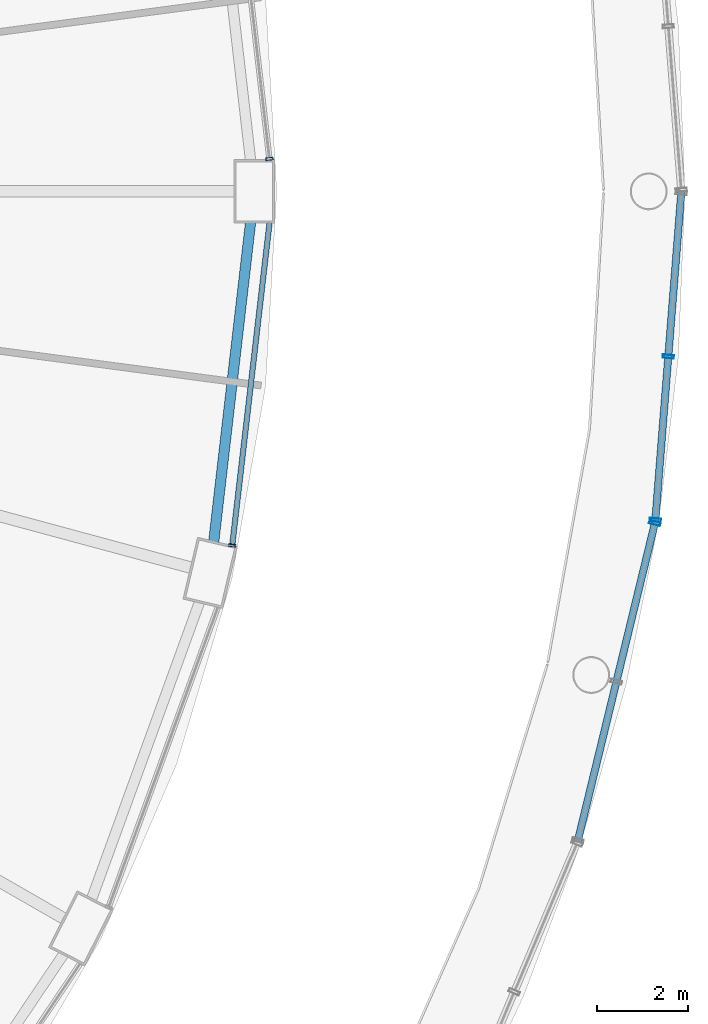
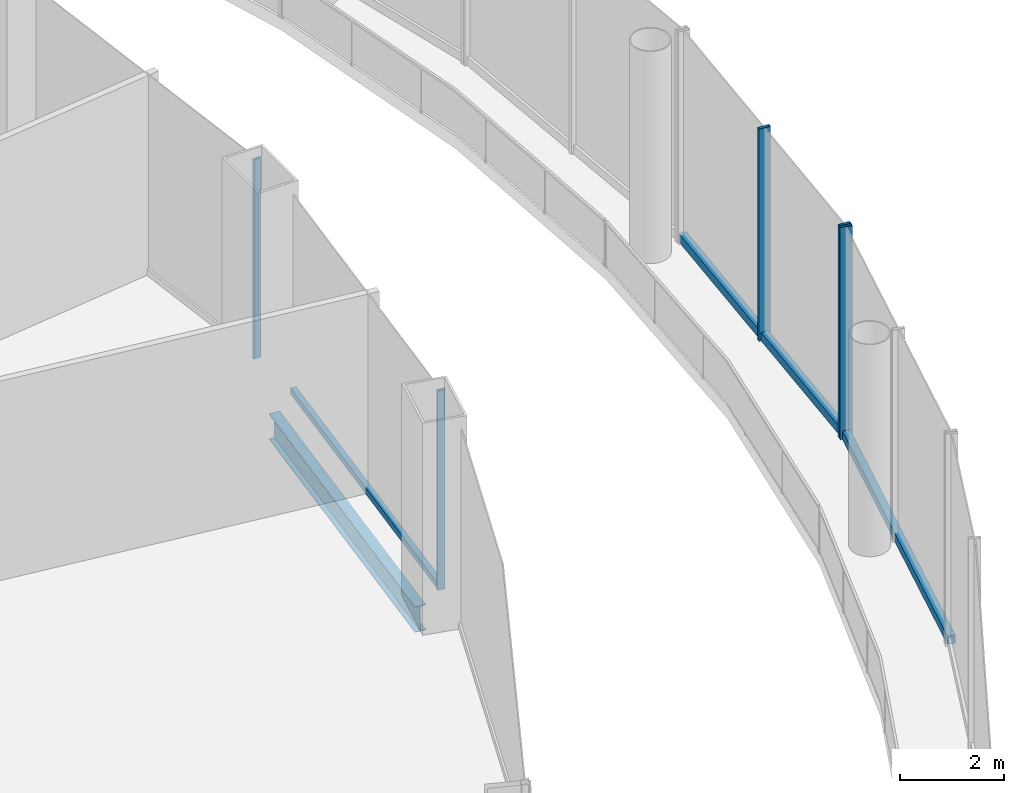
# One storey, part 25 of 48: 8 members, 1 beam, 4 elements without a shape of their own.
"""IFC4 building model written with IfcOpenShell, lengths in metres."""

from ifc_helpers import new_model, si_unit, direction, frame, origin, origin_2d, place, context, subcontext, project, spatial, hollow_rectangle, i_section, extrude, material, layer, layer_set, material_profile, profile_set, type_object, element, aggregate, save


model = new_model("IFC4")

# Units and contexts
model_context = context("Model", 3, precision=1e-05, world=origin(), true_north=direction((0.0, 1.0)))
body_context = subcontext(model_context, "Body", "Model", "MODEL_VIEW")
ifc_project = project(units=[si_unit("LENGTHUNIT", "METRE"), si_unit("AREAUNIT", "SQUARE_METRE"), si_unit("VOLUMEUNIT", "CUBIC_METRE"), si_unit("PLANEANGLEUNIT", "RADIAN"), si_unit("MASSUNIT", "GRAM", prefix="KILO")], contexts=[model_context])

# Site, building, storey
site_placement = place(None, origin())
site = spatial("IfcSite", under=ifc_project, at=site_placement, CompositionType="ELEMENT")
building_placement = place(site_placement, origin())
building = spatial("IfcBuilding", under=site, at=building_placement, Name="Nagisa Residences", CompositionType="ELEMENT")
storey_placement = place(building_placement, frame((0.0, 0.0, 12.0)))
storey = spatial("IfcBuildingStorey", under=building, at=storey_placement, Name="L02", CompositionType="ELEMENT", Elevation=12.0)

# Curtain wall, member
ifc_material_1 = material(Name="Stainless steel curtain wall system", Category="steel")
ifc_layer_1 = layer(ifc_material_1, 0.159912109375)
ifc_layer_set_1 = layer_set([ifc_layer_1], Name="CW3 CURTAIN WALL")
curtain_wall_type_1 = type_object("IfcCurtainWallType", Name="CW3 CURTAIN WALL", PredefinedType="NOTDEFINED", material=ifc_layer_set_1)
curtain_wall_1_placement = place(storey_placement, origin())
curtain_wall_1 = element("IfcCurtainWall", 1, at=curtain_wall_1_placement, inside=storey, type_object=curtain_wall_type_1, Name="cw:CW3:L02:34", PredefinedType="NOTDEFINED")
ifc_material_2 = material(Name="Stainless steel", Category="steel")
ifc_material_profile_1 = material_profile(ifc_material_2, hollow_rectangle(XDim=0.25, YDim=0.080078125, WallThickness=0.008056640625, at=origin_2d()), Name="CW3 MULLION 250x80")
ifc_profile_set_1 = profile_set([ifc_material_profile_1], Name="Stainless steel")
member_type_1 = type_object("IfcMemberType", Name="CW3 MULLION 250x80", PredefinedType="MULLION", material=ifc_profile_set_1)
member_1_placement = place(storey_placement, frame((40.935546875, -7.313232421875, 0.0), z_axis=(0.0, 0.0, 1.0), x_axis=(-0.971848775146, 0.235605514043, 0.0)))
member_1 = element("IfcMember", 2, at=member_1_placement, type_object=member_type_1, Name="CW3 mullion", PredefinedType="MULLION", context=body_context, shape_type="SweptSolid", body=[
    extrude(hollow_rectangle(XDim=0.25, YDim=0.080078125, WallThickness=0.008056640625, at=origin_2d()), origin(), (0.0, 0.0, 1.0), 5.0),
])

# Curtain wall, members
curtain_wall_2_placement = place(storey_placement, origin())
curtain_wall_2 = element("IfcCurtainWall", 3, at=curtain_wall_2_placement, inside=storey, type_object=curtain_wall_type_1, Name="cw:CW3:L02:35", PredefinedType="NOTDEFINED")
member_2_placement = place(storey_placement, frame((40.946044921875, -7.2470703125, 0.0), z_axis=(0.0, 0.0, 1.0), x_axis=(-0.996881777235, 0.078909582539, 0.0)))
member_2 = element("IfcMember", 4, at=member_2_placement, type_object=member_type_1, Name="CW3 mullion", PredefinedType="MULLION", context=body_context, shape_type="SweptSolid", body=[
    extrude(hollow_rectangle(XDim=0.25, YDim=0.080078125, WallThickness=0.008056640625, at=origin_2d()), origin(), (0.0, 0.0, 1.0), 5.0),
])
member_3_placement = place(storey_placement, frame((41.231689453125, -3.640380859375, 0.0), z_axis=(0.0, 0.0, 1.0), x_axis=(-0.996881777235, 0.078909582539, 0.0)))
member_3 = element("IfcMember", 5, at=member_3_placement, type_object=member_type_1, Name="CW3 mullion", PredefinedType="MULLION", context=body_context, shape_type="SweptSolid", body=[
    extrude(hollow_rectangle(XDim=0.25, YDim=0.080078125, WallThickness=0.008056640625, at=origin_2d()), origin(), (0.0, 0.0, 1.0), 5.0),
])

# Member
ifc_material_3 = material(Name="Stainless steel", Category="steel")
ifc_material_profile_2 = material_profile(ifc_material_3, hollow_rectangle(XDim=0.159912109375, YDim=0.199951171875, WallThickness=0.008056640625, at=origin_2d()), Name="CW3 TRANSOM 160x200")
ifc_profile_set_2 = profile_set([ifc_material_profile_2], Name="Stainless steel")
member_type_2 = type_object("IfcMemberType", Name="CW3 TRANSOM 160x200", PredefinedType="USERDEFINED", material=ifc_profile_set_2)
member_4_placement = place(storey_placement, frame((39.23046875, -14.345947265625, 0.10009765625), z_axis=(0.235637477095, 0.97184102578, 0.0), x_axis=(-0.97184102578, 0.235637477095, 0.0)))
member_4 = element("IfcMember", 6, at=member_4_placement, type_object=member_type_2, Name="CW3 transom", ObjectType="TRANSOM", PredefinedType="USERDEFINED", context=body_context, shape_type="SweptSolid", body=[
    extrude(hollow_rectangle(XDim=0.159912109375, YDim=0.199951171875, WallThickness=0.008056640625, at=origin_2d()), origin(), (0.0, 0.0, 1.0), 7.2763671875),
])

aggregate(curtain_wall_1, [member_1, member_4])

member_5_placement = place(storey_placement, frame((40.94287109375, -7.286865234375, 0.10009765625), z_axis=(0.078921540002, 0.996880830653, 0.0), x_axis=(-0.996880830653, 0.078921540002, 0.0)))
member_5 = element("IfcMember", 7, at=member_5_placement, type_object=member_type_2, Name="CW3 transom", ObjectType="TRANSOM", PredefinedType="USERDEFINED", context=body_context, shape_type="SweptSolid", body=[
    extrude(hollow_rectangle(XDim=0.159912109375, YDim=0.199951171875, WallThickness=0.008056640625, at=origin_2d()), origin(), (0.0, 0.0, 1.0), 7.31591796875),
])

aggregate(curtain_wall_2, [member_2, member_3, member_5])

# Curtain wall, member
ifc_material_4 = material(Name="Stainless steel curtain wall system", Category="steel")
ifc_layer_2 = layer(ifc_material_4, 0.159912109375)
ifc_layer_set_2 = layer_set([ifc_layer_2], Name="CW6 CURTAIN WALL")
curtain_wall_type_2 = type_object("IfcCurtainWallType", Name="CW6 CURTAIN WALL", PredefinedType="NOTDEFINED", material=ifc_layer_set_2)
curtain_wall_3_placement = place(storey_placement, origin())
curtain_wall_3 = element("IfcCurtainWall", 8, at=curtain_wall_3_placement, inside=storey, type_object=curtain_wall_type_2, Name="cw:CW6:L02:00", PredefinedType="NOTDEFINED")
ifc_material_5 = material(Name="Stainless steel", Category="steel")
ifc_material_profile_3 = material_profile(ifc_material_5, hollow_rectangle(XDim=0.159912109375, YDim=0.06005859375, WallThickness=0.006103515625, at=origin_2d()), Name="CW6 MULLION 160x60")
ifc_profile_set_3 = profile_set([ifc_material_profile_3], Name="Stainless steel")
member_type_3 = type_object("IfcMemberType", Name="CW6 MULLION 160x60", PredefinedType="MULLION", material=ifc_profile_set_3)
member_6_placement = place(storey_placement, frame((32.4365234375, 0.716064453125, 0.0), z_axis=(0.0, 0.0, 1.0), x_axis=(-0.993373823596, -0.114928006139, 0.0)))
member_6 = element("IfcMember", 9, at=member_6_placement, type_object=member_type_3, Name="CW6 mullion", PredefinedType="MULLION", context=body_context, shape_type="SweptSolid", body=[
    extrude(hollow_rectangle(XDim=0.159912109375, YDim=0.06005859375, WallThickness=0.006103515625, at=origin_2d()), origin(), (0.0, 0.0, 1.0), 4.699951171875),
])
aggregate(curtain_wall_3, [member_6])

# Curtain wall, members
curtain_wall_4_placement = place(storey_placement, origin())
curtain_wall_4 = element("IfcCurtainWall", 10, at=curtain_wall_4_placement, inside=storey, type_object=curtain_wall_type_2, Name="cw:CW6:L02:46", PredefinedType="NOTDEFINED")
member_7_placement = place(storey_placement, frame((31.6162109375, -7.806640625, 0.0), z_axis=(0.0, 0.0, 1.0), x_axis=(-0.993373823596, 0.114928006139, 0.0)))
member_7 = element("IfcMember", 11, at=member_7_placement, type_object=member_type_3, Name="CW6 mullion", PredefinedType="MULLION", context=body_context, shape_type="SweptSolid", body=[
    extrude(hollow_rectangle(XDim=0.159912109375, YDim=0.06005859375, WallThickness=0.006103515625, at=origin_2d()), origin(), (0.0, 0.0, 1.0), 4.699951171875),
])
ifc_material_6 = material(Name="Stainless steel", Category="steel")
ifc_material_profile_4 = material_profile(ifc_material_6, hollow_rectangle(XDim=0.1201171875, YDim=0.14990234375, WallThickness=0.008056640625, at=origin_2d()), Name="CW6 TRANSOM 120x150")
ifc_profile_set_4 = profile_set([ifc_material_profile_4], Name="Stainless steel")
member_type_4 = type_object("IfcMemberType", Name="CW6 TRANSOM 120x150", PredefinedType="USERDEFINED", material=ifc_profile_set_4)
member_8_placement = place(storey_placement, frame((31.61279296875, -7.83642578125, 0.074951171875), z_axis=(0.114949818518, 0.993371299778, 0.0), x_axis=(-0.993371299778, 0.114949818518, 0.0)))
member_8 = element("IfcMember", 12, at=member_8_placement, type_object=member_type_4, Name="CW6 transom", ObjectType="TRANSOM", PredefinedType="USERDEFINED", context=body_context, shape_type="SweptSolid", body=[
    extrude(hollow_rectangle(XDim=0.1201171875, YDim=0.14990234375, WallThickness=0.008056640625, at=origin_2d()), origin(), (0.0, 0.0, 1.0), 7.19775390625),
])
aggregate(curtain_wall_4, [member_7, member_8])

# Beam
ifc_material_7 = material(Name="Steel ASTM A572 Gr 50", Category="steel")
ifc_material_profile_5 = material_profile(ifc_material_7, i_section(OverallWidth=0.22802734375, OverallDepth=0.60302734375, WebThickness=0.010498046875, FlangeThickness=0.014892578125, at=origin_2d()), Name="W610x101")
ifc_profile_set_5 = profile_set([ifc_material_profile_5], Name="Steel ASTM A572 Gr 50")
beam_type = type_object("IfcBeamType", Name="Perimeter ring beam W610x101", PredefinedType="BEAM", material=ifc_profile_set_5)
beam_placement = place(storey_placement, frame((31.20751953125, -7.7314453125, -0.6015625), z_axis=(0.114673717321, 0.993403210462, 0.0), x_axis=(-0.993403210462, 0.114673717321, 0.0)))
element("IfcBeam", 13, at=beam_placement, inside=storey, type_object=beam_type, Name="beam:L02:pb24", PredefinedType="BEAM", context=body_context, shape_type="SweptSolid", body=[
    extrude(i_section(OverallWidth=0.22802734375, OverallDepth=0.60302734375, WebThickness=0.010498046875, FlangeThickness=0.014892578125, at=origin_2d()), origin(), (0.0, 0.0, 1.0), 7.09814453125),
])

save(model, "model.ifc")
